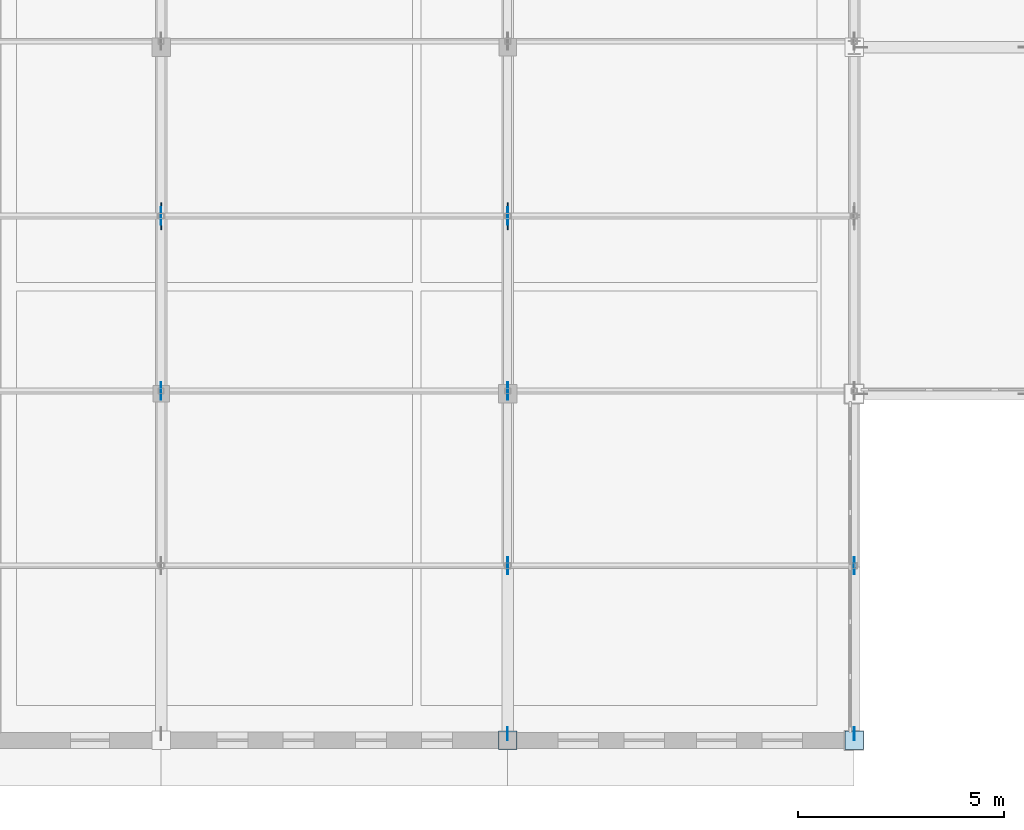
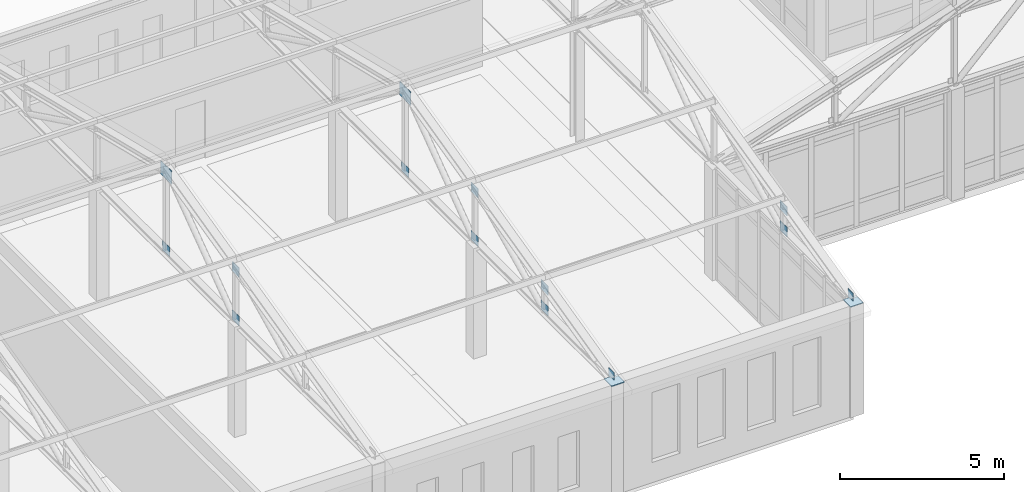
# One storey, part 135 of 192: 16 plates.
"""IFC4 building model written with IfcOpenShell, lengths in metres."""

import ifcopenshell
import ifcopenshell.guid

model = None  # the IFC model being written
_history = None  # IfcOwnerHistory: only IFC2X3 demands one
_inside = {}  # id of a spatial element -> (the spatial element, [elements in it])
_under = {}  # id of a project, library or spatial element -> (it, [spatial elements below it])
_declared = {}  # id of a project -> (the project, [libraries it declares])
_typed = {}  # id of a type object -> (the type object, [elements of that type])
_made_of = {}  # id of a material, layer set ... -> (it, [elements and type objects made of it])


def new_model(schema):
    """Start an empty IFC model of exactly this schema.

    Asked for "IFC4X3", IfcOpenShell would pick the latest addendum, in which some entities
    have other attributes; the version numbers below select the first issue.
    IFC2X3 requires an IfcOwnerHistory on every rooted entity: one is made here for all.
    """
    global model, _history
    if schema == "IFC4X3":
        model = ifcopenshell.file(schema_version=(4, 3, 0, 0))
    else:
        model = ifcopenshell.file(schema=schema)
    _inside.clear()
    _under.clear()
    _declared.clear()
    _typed.clear()
    _made_of.clear()
    _history = None
    if model.schema == "IFC2X3":
        org = make("IfcOrganization", Name="unknown")
        user = make(
            "IfcPersonAndOrganization",
            ThePerson=make("IfcPerson", FamilyName="unknown"),
            TheOrganization=org,
        )
        app = make(
            "IfcApplication",
            ApplicationDeveloper=org,
            Version="unknown",
            ApplicationFullName="unknown",
            ApplicationIdentifier="unknown",
        )
        _history = make(
            "IfcOwnerHistory",
            OwningUser=user,
            OwningApplication=app,
            ChangeAction="ADDED",
            CreationDate=0,
        )
    return model


def make(cls, **values):
    """One entity of the class cls with the attributes given. An attribute that is None is left unset."""
    return model.create_entity(
        cls, **{name: value for name, value in values.items() if value is not None}
    )


def rooted(cls, **values):
    """An entity with a GlobalId (a new one), such as an element, a storey or a relation."""
    return make(cls, GlobalId=ifcopenshell.guid.new(), OwnerHistory=_history, **values)


def si_unit(unit_type, name, prefix=None):
    """IfcSIUnit, for example si_unit("LENGTHUNIT", "METRE", prefix="MILLI")."""
    return make("IfcSIUnit", UnitType=unit_type, Prefix=prefix, Name=name)


def assignment(units):
    """IfcUnitAssignment: the units of a project."""
    return None if units is None else make("IfcUnitAssignment", Units=units)


def point(xyz):
    """IfcCartesianPoint."""
    return None if xyz is None else make("IfcCartesianPoint", Coordinates=xyz)


def direction(xyz):
    """IfcDirection."""
    return None if xyz is None else make("IfcDirection", DirectionRatios=xyz)


def frame(location, z_axis=None, x_axis=None):
    """IfcAxis2Placement3D, a coordinate frame: its origin and axes. An axis left out is left unset."""
    return make(
        "IfcAxis2Placement3D",
        Location=point(location),
        Axis=direction(z_axis),
        RefDirection=direction(x_axis),
    )


def frame_2d(location, x_axis=None):
    """IfcAxis2Placement2D, a coordinate frame in the plane: its origin and x axis."""
    return make(
        "IfcAxis2Placement2D", Location=point(location), RefDirection=direction(x_axis)
    )


def origin():
    """The frame at (0, 0, 0) with its axes left unset."""
    return frame((0.0, 0.0, 0.0))


def origin_2d():
    """The frame at (0, 0) in the plane with its x axis left unset."""
    return frame_2d((0.0, 0.0))


def place(relative_to, where):
    """IfcLocalPlacement: puts the frame where relative to a parent placement (None: the world)."""
    return make(
        "IfcLocalPlacement", PlacementRelTo=relative_to, RelativePlacement=where
    )


def context(
    kind, dimensions, precision=None, world=None, true_north=None, identifier=None
):
    """IfcGeometricRepresentationContext, for example the 3D "Model" context."""
    return make(
        "IfcGeometricRepresentationContext",
        ContextIdentifier=identifier,
        ContextType=kind,
        CoordinateSpaceDimension=dimensions,
        Precision=precision,
        WorldCoordinateSystem=world,
        TrueNorth=true_north,
    )


def subcontext(parent, identifier, kind, view, scale=None):
    """IfcGeometricRepresentationSubContext, for example "Body" below "Model"."""
    return make(
        "IfcGeometricRepresentationSubContext",
        ContextIdentifier=identifier,
        ContextType=kind,
        ParentContext=parent,
        TargetScale=scale,
        TargetView=view,
    )


def project(units=None, contexts=None):
    """IfcProject with its units and contexts."""
    return rooted(
        "IfcProject",
        Name="project",
        RepresentationContexts=contexts,
        UnitsInContext=assignment(units),
    )


def spatial(cls, under=None, at=None, **own):
    """A site, building, storey or space (cls), placed at a placement, below another one or the project."""
    s = rooted(cls, ObjectPlacement=at, **own)
    if under is not None:
        _under.setdefault(under.id(), (under, []))[1].append(s)
    return s


def profile(cls, at=None, kind="AREA", **sizes):
    """A parametric profile (cls). Its sizes go by their IFC names, for example OverallWidth=200.0."""
    return make(cls, ProfileType=kind, Position=at, **sizes)


def rectangle(**sizes):
    """IfcRectangleProfileDef."""
    return profile("IfcRectangleProfileDef", **sizes)


def extrude(swept, where, along, depth):
    """IfcExtrudedAreaSolid: the profile swept, set in the frame where, extruded along a direction by depth."""
    return make(
        "IfcExtrudedAreaSolid",
        SweptArea=swept,
        Position=where,
        ExtrudedDirection=direction(along),
        Depth=depth,
    )


def shape(context_of_items, identifier, shape_type, items):
    """IfcShapeRepresentation: the items that make up one representation, for example the "Body"."""
    return make(
        "IfcShapeRepresentation",
        ContextOfItems=context_of_items,
        RepresentationIdentifier=identifier,
        RepresentationType=shape_type,
        Items=items,
    )


def material(Name=None, Category=None):
    """IfcMaterial."""
    return make("IfcMaterial", Name=Name, Category=Category)


def layer(
    of_material, thickness, ventilated=None, Name=None, Category=None, Priority=None
):
    """IfcMaterialLayer: one layer of a wall or slab, of a material (None: an air gap)."""
    return make(
        "IfcMaterialLayer",
        Material=of_material,
        LayerThickness=thickness,
        IsVentilated=ventilated,
        Name=Name,
        Category=Category,
        Priority=Priority,
    )


def layer_set(layers, Name=None):
    """IfcMaterialLayerSet."""
    return make("IfcMaterialLayerSet", MaterialLayers=layers, LayerSetName=Name)


def made_of(thing, what):
    """Note that an element or type object is made of a material, layer set ...; save() writes the relation."""
    if what is not None:
        _made_of.setdefault(what.id(), (what, []))[1].append(thing)
    return thing


def type_object(cls, material=None, **own):
    """A type object (cls), such as IfcWallType, which elements share."""
    return made_of(rooted(cls, **own), material)


def element(
    cls,
    number,
    at=None,
    inside=None,
    cuts=None,
    type_object=None,
    material=None,
    context=None,
    identifier="Body",
    shape_type=None,
    held_by="IfcProductDefinitionShape",
    body=None,
    shapes=None,
    **own,
):
    """One element of the class cls, such as IfcWall. Its Tag is "e" and its number.

    at: its placement. inside: the storey or other place that contains it. cuts: it is an
    opening in that element (IfcRelVoidsElement). A single representation is given by context,
    identifier, shape_type and body (its items); several are given by shapes. held_by: the class
    of the entity that holds the representations. save() writes the other relations.
    """
    e = rooted(cls, Tag="e%d" % number, ObjectPlacement=at, **own)
    if body is not None:
        shapes = [shape(context, identifier, shape_type, body)]
    if shapes is not None:
        e.Representation = make(held_by, Representations=shapes)
    if inside is not None:
        _inside.setdefault(inside.id(), (inside, []))[1].append(e)
    if cuts is not None:
        rooted(
            "IfcRelVoidsElement", RelatingBuildingElement=cuts, RelatedOpeningElement=e
        )
    if type_object is not None:
        _typed.setdefault(type_object.id(), (type_object, []))[1].append(e)
    return made_of(e, material)


def aggregate(whole, parts):
    """IfcRelAggregates: a whole, such as a stair, and the parts it consists of."""
    return rooted("IfcRelAggregates", RelatingObject=whole, RelatedObjects=parts)


def save(model, path):
    """Write the relations noted so far, then the file.

    IfcRelAggregates (storeys below a building ...), IfcRelContainedInSpatialStructure (elements
    in a storey), IfcRelDefinesByType, IfcRelAssociatesMaterial and IfcRelDeclares: one each for
    every whole, place, type object, material and project.
    """
    for whole, parts in _under.values():
        aggregate(whole, parts)
    for where, things in _inside.values():
        rooted(
            "IfcRelContainedInSpatialStructure",
            RelatedElements=things,
            RelatingStructure=where,
        )
    for kind, things in _typed.values():
        rooted("IfcRelDefinesByType", RelatedObjects=things, RelatingType=kind)
    for what, things in _made_of.values():
        rooted("IfcRelAssociatesMaterial", RelatedObjects=things, RelatingMaterial=what)
    for by, libraries in _declared.values():
        rooted("IfcRelDeclares", RelatingContext=by, RelatedDefinitions=libraries)
    model.write(path)


model = new_model("IFC4")

# Units and contexts
model_context = context("Model", 3, precision=1e-05, world=origin(), true_north=direction((0.0, 1.0)))
body_context = subcontext(model_context, "Body", "Model", "MODEL_VIEW")
ifc_project = project(units=[si_unit("LENGTHUNIT", "METRE"), si_unit("AREAUNIT", "SQUARE_METRE"), si_unit("VOLUMEUNIT", "CUBIC_METRE"), si_unit("PLANEANGLEUNIT", "RADIAN"), si_unit("MASSUNIT", "GRAM", prefix="KILO")], contexts=[model_context])

# Site, building, storey
site_placement = place(None, origin())
site = spatial("IfcSite", under=ifc_project, at=site_placement, CompositionType="ELEMENT")
building_placement = place(site_placement, origin())
building = spatial("IfcBuilding", under=site, at=building_placement, Name="Kveldsbrygga Polytechnic", CompositionType="ELEMENT")
storey_placement = place(building_placement, frame((0.0, 0.0, 5.43994140625)))
storey = spatial("IfcBuildingStorey", under=building, at=storey_placement, Name="L01", CompositionType="ELEMENT", Elevation=5.43994140625)

# Plates
ifc_material = material(Name="Steel S355", Category="steel")
ifc_layer_1 = layer(ifc_material, 0.030029296875)
ifc_layer_set_1 = layer_set([ifc_layer_1], Name="Steel S355")
plate_type_1 = type_object("IfcPlateType", Name="CAP-BEAR-450", PredefinedType="SHEET", material=ifc_layer_set_1)
for number, where, z_axis, x_axis, name in (
    (1, (42.0, 0.0, 4.08984375), (0.0, 0.0, 1.0), (1.0, 0.0, 0.0), "Truss Bearing Plate V5S-T06-A"),
    (2, (50.39990234375, 0.0, 4.08984375), (0.0, 0.0, 1.0), (1.0, 0.0, 0.0), "Truss Bearing Plate V5S-T07-A"),
):
    element("IfcPlate", number, at=place(storey_placement, frame(where, z_axis=z_axis, x_axis=x_axis)), inside=storey, type_object=plate_type_1, Name=name, PredefinedType="SHEET", context=body_context, shape_type="SweptSolid", body=[
        extrude(rectangle(XDim=0.449951171875, YDim=0.449951171875, at=origin_2d()), origin(), (0.0, 0.0, 1.0), 0.030029296875),
    ])
ifc_layer_2 = layer(ifc_material, 0.02490234375)
ifc_layer_set_2 = layer_set([ifc_layer_2], Name="Steel S355")
plate_type_2 = type_object("IfcPlateType", Name="GUS-APEX-650", PredefinedType="SHEET", material=ifc_layer_set_2)
for number, where, z_axis, x_axis, name in (
    (3, (33.60009765625, 12.7099609375, 6.820068359375), (0.0, 0.0, 1.0), (1.0, 0.0, 0.0), "Truss Gusset Plate V5S-T05-GP-3"),
    (4, (42.0, 12.7099609375, 6.820068359375), (0.0, 0.0, 1.0), (1.0, 0.0, 0.0), "Truss Gusset Plate V5S-T06-GP-3"),
):
    element("IfcPlate", number, at=place(storey_placement, frame(where, z_axis=z_axis, x_axis=x_axis)), inside=storey, type_object=plate_type_2, Name=name, PredefinedType="SHEET", context=body_context, shape_type="SweptSolid", body=[
        extrude(rectangle(XDim=0.02490234375, YDim=0.64990234375, at=origin_2d()), origin(), (0.0, 0.0, 1.0), 0.5),
    ])
ifc_layer_3 = layer(ifc_material, 0.01806640625)
ifc_layer_set_3 = layer_set([ifc_layer_3], Name="Steel S355")
plate_type_3 = type_object("IfcPlateType", Name="GUS-BRACE-320", PredefinedType="SHEET", material=ifc_layer_set_3)
for number, where, z_axis, x_axis, name in (
    (5, (42.0, 0.159912109375, 4.080078125), (0.0, 0.0, 1.0), (1.0, 0.0, 0.0), "Truss Eaves Node Gusset V5S-T06-EGP-A"),
    (6, (50.39990234375, 0.159912109375, 4.080078125), (0.0, 0.0, 1.0), (1.0, 0.0, 0.0), "Truss Eaves Node Gusset V5S-T07-EGP-A"),
):
    element("IfcPlate", number, at=place(storey_placement, frame(where, z_axis=z_axis, x_axis=x_axis)), inside=storey, type_object=plate_type_3, Name=name, PredefinedType="SHEET", context=body_context, shape_type="SweptSolid", body=[
        extrude(rectangle(XDim=0.01806640625, YDim=0.320068359375, at=origin_2d()), origin(), (0.0, 0.0, 1.0), 0.320068359375),
    ])
ifc_layer_4 = layer(ifc_material, 0.02001953125)
ifc_layer_set_4 = layer_set([ifc_layer_4], Name="Steel S355")
plate_type_4 = type_object("IfcPlateType", Name="GUS-LECT-420", PredefinedType="SHEET", material=ifc_layer_set_4)
for number, where, z_axis, x_axis, name in (
    (7, (33.60009765625, 8.473388671875, 5.861572265625), (0.0, 0.0, 1.0), (1.0, 0.0, 0.0), "Truss Gusset Plate V5S-T05-GP-2"),
    (8, (33.60009765625, 8.473388671875, 4.06494140625), (0.0, 0.0, 1.0), (1.0, 0.0, 0.0), "Truss Bottom-Chord Node Gusset V5S-T05-BGP-2"),
    (9, (33.60009765625, 12.7099609375, 4.06494140625), (0.0, 0.0, 1.0), (1.0, 0.0, 0.0), "Truss Bottom-Chord Node Gusset V5S-T05-BGP-3"),
    (10, (42.0, 4.236572265625, 4.828369140625), (0.0, 0.0, 1.0), (1.0, 0.0, 0.0), "Truss Gusset Plate V5S-T06-GP-1"),
    (11, (42.0, 4.236572265625, 4.06494140625), (0.0, 0.0, 1.0), (1.0, 0.0, 0.0), "Truss Bottom-Chord Node Gusset V5S-T06-BGP-1"),
    (12, (42.0, 8.473388671875, 5.861572265625), (0.0, 0.0, 1.0), (1.0, 0.0, 0.0), "Truss Gusset Plate V5S-T06-GP-2"),
    (13, (42.0, 8.473388671875, 4.06494140625), (0.0, 0.0, 1.0), (1.0, 0.0, 0.0), "Truss Bottom-Chord Node Gusset V5S-T06-BGP-2"),
    (14, (42.0, 12.7099609375, 4.06494140625), (0.0, 0.0, 1.0), (1.0, 0.0, 0.0), "Truss Bottom-Chord Node Gusset V5S-T06-BGP-3"),
    (15, (50.39990234375, 4.236572265625, 4.828369140625), (0.0, 0.0, 1.0), (1.0, 0.0, 0.0), "Truss Gusset Plate V5S-T07-GP-1"),
    (16, (50.39990234375, 4.236572265625, 4.06494140625), (0.0, 0.0, 1.0), (1.0, 0.0, 0.0), "Truss Bottom-Chord Node Gusset V5S-T07-BGP-1"),
):
    element("IfcPlate", number, at=place(storey_placement, frame(where, z_axis=z_axis, x_axis=x_axis)), inside=storey, type_object=plate_type_4, Name=name, PredefinedType="SHEET", context=body_context, shape_type="SweptSolid", body=[
        extrude(rectangle(XDim=0.02001953125, YDim=0.419921875, at=origin_2d()), origin(), (0.0, 0.0, 1.0), 0.35009765625),
    ])

save(model, "model.ifc")
